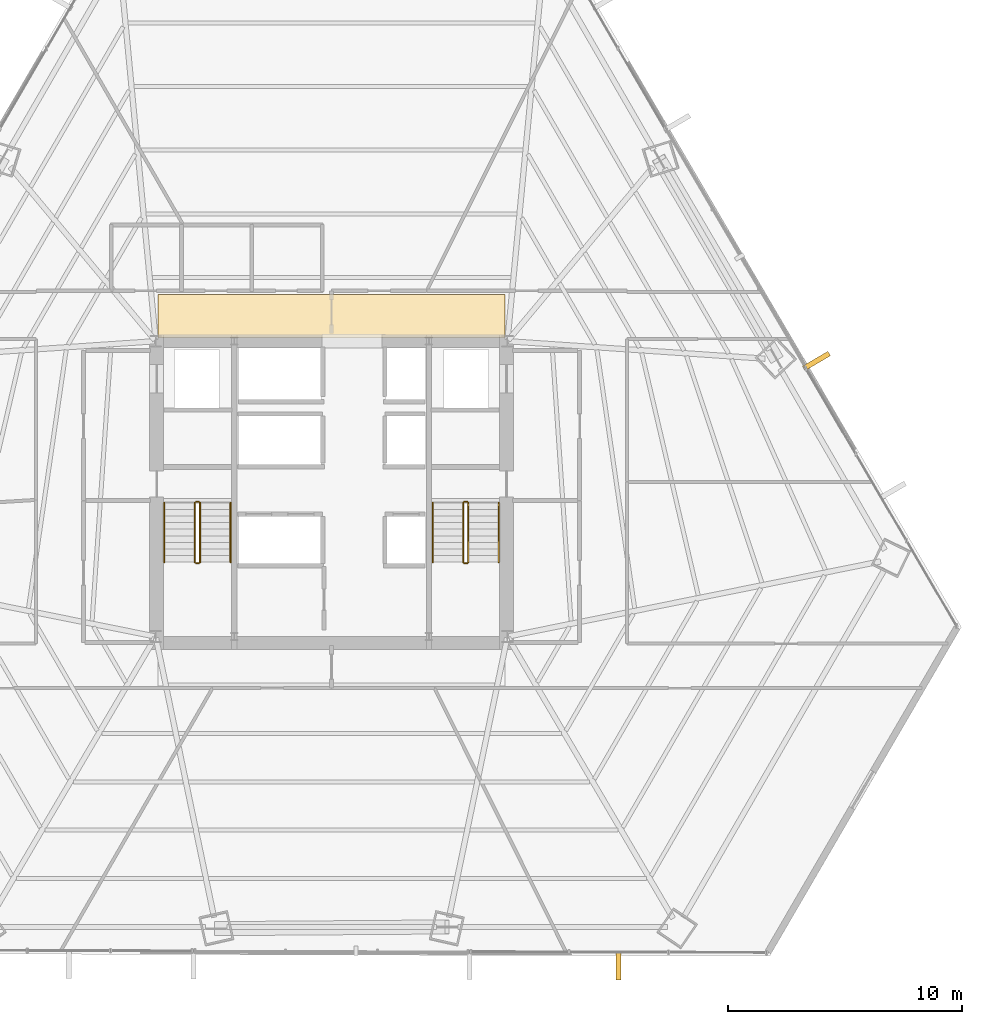
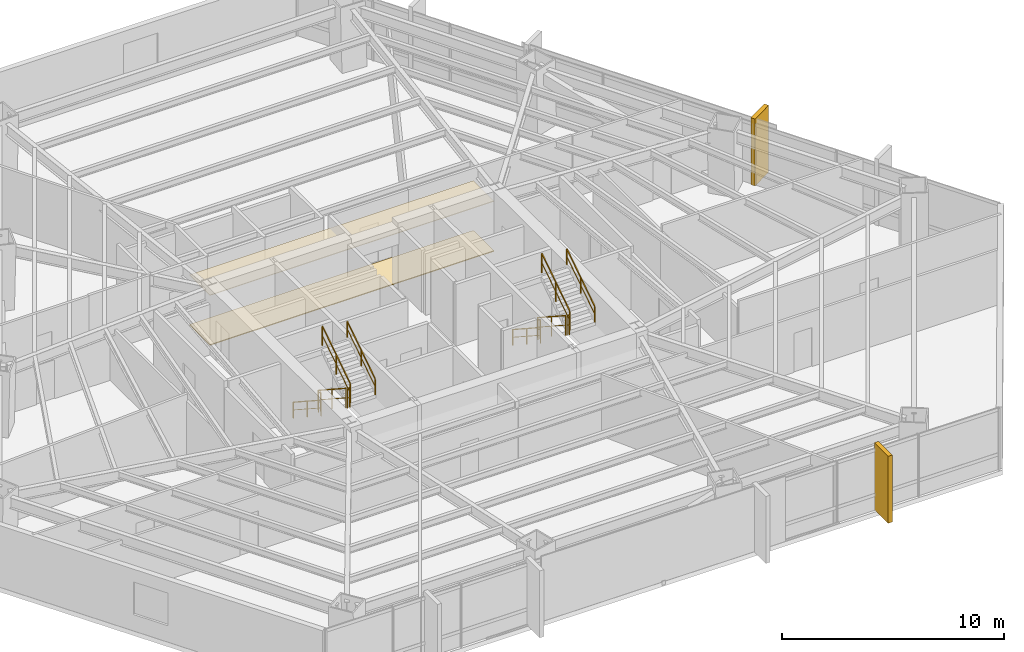
# One storey, part 32 of 33: 12 railings, 4 coverings.
"""IFC4 building model written with IfcOpenShell, lengths in metres."""

from ifc_helpers import new_model, si_unit, direction, frame, origin, origin_2d, place, context, subcontext, project, spatial, polyline, rectangle, outline, extrude, source, transform, mapped, material, layer, layer_set, type_object, type_shapes, element, save


model = new_model("IFC4")

# Units and contexts
model_context = context("Model", 3, precision=1e-05, world=origin(), true_north=direction((0.0, 1.0)))
body_context = subcontext(model_context, "Body", "Model", "MODEL_VIEW")
ifc_project = project(units=[si_unit("LENGTHUNIT", "METRE"), si_unit("AREAUNIT", "SQUARE_METRE"), si_unit("VOLUMEUNIT", "CUBIC_METRE"), si_unit("PLANEANGLEUNIT", "RADIAN"), si_unit("MASSUNIT", "GRAM", prefix="KILO")], contexts=[model_context])

# Site, building, storey
site_placement = place(None, origin())
site = spatial("IfcSite", under=ifc_project, at=site_placement, CompositionType="ELEMENT")
building_placement = place(site_placement, origin())
building = spatial("IfcBuilding", under=site, at=building_placement, Name="Caelisora Broadcast Tower", CompositionType="ELEMENT")
storey_placement = place(building_placement, frame((0.0, 0.0, 34.89990234375)))
storey = spatial("IfcBuildingStorey", under=building, at=storey_placement, Name="L08", CompositionType="ELEMENT", Elevation=34.89990234375)

# Coverings
ifc_material_1 = material(Name="Perforated Mineral-Fibre Acoustic Ceiling Tile", Category="gypsum")
ifc_layer_1 = layer(ifc_material_1, 0.034912109375, Name="Perforated Mineral-Fibre Acoustic Ceiling Tile")
ifc_layer_set_1 = layer_set([ifc_layer_1], Name="Perforated Mineral-Fibre Acoustic Ceiling Tile")
covering_type_1 = type_object("IfcCoveringType", Name="CE-1", PredefinedType="CEILING", material=ifc_layer_set_1)
covering_1_placement = place(storey_placement, frame((0.0, 0.0, 2.75)))
element("IfcCovering", 1, at=covering_1_placement, inside=storey, type_object=covering_type_1, Name="L08 acoustic corridor ceiling CE-1 (N)", PredefinedType="CEILING", context=body_context, shape_type="SweptSolid", body=[
    extrude(outline(polyline([(30.60009765625, 30.14990234375), (45.39990234375, 30.14990234375), (45.39990234375, 32.0), (30.60009765625, 32.0), (30.60009765625, 30.14990234375)])), origin(), (0.0, 0.0, 1.0), 0.03515625),
])
ifc_material_2 = material(Name="Anti-Static Broadcast Raised Access Floor Panel", Category="steel")
ifc_layer_2 = layer(ifc_material_2, 0.044921875, Name="Anti-Static Broadcast Raised Access Floor Panel")
ifc_layer_set_2 = layer_set([ifc_layer_2], Name="Anti-Static Broadcast Raised Access Floor Panel")
covering_type_2 = type_object("IfcCoveringType", Name="FL-1", PredefinedType="FLOORING", material=ifc_layer_set_2)
covering_2_placement = place(storey_placement, origin())
element("IfcCovering", 2, at=covering_2_placement, inside=storey, type_object=covering_type_2, Name="L08 broadcast raised access floor FL-1 (N)", PredefinedType="FLOORING", context=body_context, shape_type="SweptSolid", body=[
    extrude(outline(polyline([(30.60009765625, 30.14990234375), (45.39990234375, 30.14990234375), (45.39990234375, 32.0), (30.60009765625, 32.0), (30.60009765625, 30.14990234375)])), origin(), (0.0, 0.0, 1.0), 0.045166015625),
])

# Railings
ifc_material_3 = material(Name="Galvanised Steel Safety Guardrail", Category="steel")
ifc_layer_3 = layer(ifc_material_3, 0.048095703125, Name="Galvanised Steel Safety Guardrail")
ifc_layer_set_3 = layer_set([ifc_layer_3], Name="Galvanised Steel Safety Guardrail")
railing_type_1 = type_object("IfcRailingType", Name="GR-1", PredefinedType="GUARDRAIL", material=ifc_layer_set_3)
railing_1_placement = place(storey_placement, frame((32.169921875, 23.10009765625, 0.1826171875)))
element("IfcRailing", 3, at=railing_1_placement, inside=storey, type_object=railing_type_1, Name="L08 ST-1 stair guard 1", PredefinedType="GUARDRAIL", context=body_context, shape_type="SweptSolid", body=[
    extrude(rectangle(XDim=0.048095703125, YDim=0.048095703125, at=origin_2d()), frame((0.0, 0.0, 1.076171875), z_axis=(0.0, -0.837749427056, 0.546054848405), x_axis=(1.0, 0.0, 0.0)), (0.0, 0.0, 1.0), 3.008056640625),
    extrude(rectangle(XDim=0.03125, YDim=0.03125, at=origin_2d()), frame((0.0, 0.0, 0.550048828125), z_axis=(0.0, -0.837749427056, 0.546054848405), x_axis=(1.0, 0.0, 0.0)), (0.0, 0.0, 1.0), 3.008056640625),
    extrude(rectangle(XDim=0.0419921875, YDim=0.0419921875, at=origin_2d()), origin(), (0.0, 0.0, 1.0), 1.052001953125),
    extrude(rectangle(XDim=0.0419921875, YDim=0.0419921875, at=origin_2d()), frame((0.0, -1.260009765625, 0.8212890625)), (0.0, 0.0, 1.0), 1.052001953125),
    extrude(rectangle(XDim=0.0419921875, YDim=0.0419921875, at=origin_2d()), frame((0.0, -2.52001953125, 1.642578125)), (0.0, 0.0, 1.0), 1.052001953125),
])
railing_2_placement = place(storey_placement, frame((32.219970703125, 20.530029296875, 1.8251953125)))
element("IfcRailing", 4, at=railing_2_placement, inside=storey, type_object=railing_type_1, Name="L08 ST-1 stair guard 2", PredefinedType="GUARDRAIL", context=body_context, shape_type="SweptSolid", body=[
    extrude(rectangle(XDim=0.048095703125, YDim=0.048095703125, at=origin_2d()), frame((0.0, 0.0, 1.076171875), z_axis=(1.0, 0.0, 0.0), x_axis=(0.0, 1.0, 0.0)), (0.0, 0.0, 1.0), 0.1201171875),
    extrude(rectangle(XDim=0.03125, YDim=0.03125, at=origin_2d()), frame((0.0, 0.0, 0.550048828125), z_axis=(1.0, 0.0, 0.0), x_axis=(0.0, 1.0, 0.0)), (0.0, 0.0, 1.0), 0.1201171875),
    extrude(rectangle(XDim=0.0419921875, YDim=0.0419921875, at=origin_2d()), origin(), (0.0, 0.0, 1.0), 1.052001953125),
    extrude(rectangle(XDim=0.0419921875, YDim=0.0419921875, at=origin_2d()), frame((0.1201171875, 0.0, 0.0)), (0.0, 0.0, 1.0), 1.052001953125),
])
railing_3_placement = place(storey_placement, frame((32.389892578125, 20.580078125, 2.007568359375)))
element("IfcRailing", 5, at=railing_3_placement, inside=storey, type_object=railing_type_1, Name="L08 ST-1 stair guard 3", PredefinedType="GUARDRAIL", context=body_context, shape_type="SweptSolid", body=[
    extrude(rectangle(XDim=0.048095703125, YDim=0.048095703125, at=origin_2d()), frame((0.0, 0.0, 1.076171875), z_axis=(0.0, 0.837749427056, 0.546054848405), x_axis=(-1.0, 0.0, 0.0)), (0.0, 0.0, 1.0), 3.008056640625),
    extrude(rectangle(XDim=0.03125, YDim=0.03125, at=origin_2d()), frame((0.0, 0.0, 0.550048828125), z_axis=(0.0, 0.837749427056, 0.546054848405), x_axis=(-1.0, 0.0, 0.0)), (0.0, 0.0, 1.0), 3.008056640625),
    extrude(rectangle(XDim=0.0419921875, YDim=0.0419921875, at=origin_2d()), origin(), (0.0, 0.0, 1.0), 1.052001953125),
    extrude(rectangle(XDim=0.0419921875, YDim=0.0419921875, at=origin_2d()), frame((0.0, 1.260009765625, 0.8212890625)), (0.0, 0.0, 1.0), 1.052001953125),
    extrude(rectangle(XDim=0.0419921875, YDim=0.0419921875, at=origin_2d()), frame((0.0, 2.52001953125, 1.642578125)), (0.0, 0.0, 1.0), 1.052001953125),
])
railing_4_placement = place(storey_placement, frame((32.219970703125, 23.14990234375, 0.0)))
element("IfcRailing", 6, at=railing_4_placement, inside=storey, type_object=railing_type_1, Name="L08 ST-1 stair guard 4", PredefinedType="GUARDRAIL", context=body_context, shape_type="SweptSolid", body=[
    extrude(rectangle(XDim=0.048095703125, YDim=0.048095703125, at=origin_2d()), frame((0.0, 0.0, 1.076171875), z_axis=(1.0, 0.0, 0.0), x_axis=(0.0, 1.0, 0.0)), (0.0, 0.0, 1.0), 0.1201171875),
    extrude(rectangle(XDim=0.03125, YDim=0.03125, at=origin_2d()), frame((0.0, 0.0, 0.550048828125), z_axis=(1.0, 0.0, 0.0), x_axis=(0.0, 1.0, 0.0)), (0.0, 0.0, 1.0), 0.1201171875),
    extrude(rectangle(XDim=0.0419921875, YDim=0.0419921875, at=origin_2d()), origin(), (0.0, 0.0, 1.0), 1.052001953125),
    extrude(rectangle(XDim=0.0419921875, YDim=0.0419921875, at=origin_2d()), frame((0.1201171875, 0.0, 0.0)), (0.0, 0.0, 1.0), 1.052001953125),
])
railing_5_placement = place(storey_placement, frame((43.610107421875, 23.10009765625, 0.1826171875)))
element("IfcRailing", 7, at=railing_5_placement, inside=storey, type_object=railing_type_1, Name="L08 ST-2 stair guard 1", PredefinedType="GUARDRAIL", context=body_context, shape_type="SweptSolid", body=[
    extrude(rectangle(XDim=0.048095703125, YDim=0.048095703125, at=origin_2d()), frame((0.0, 0.0, 1.076171875), z_axis=(0.0, -0.837749427056, 0.546054848405), x_axis=(1.0, 0.0, 0.0)), (0.0, 0.0, 1.0), 3.008056640625),
    extrude(rectangle(XDim=0.03125, YDim=0.03125, at=origin_2d()), frame((0.0, 0.0, 0.550048828125), z_axis=(0.0, -0.837749427056, 0.546054848405), x_axis=(1.0, 0.0, 0.0)), (0.0, 0.0, 1.0), 3.008056640625),
    extrude(rectangle(XDim=0.0419921875, YDim=0.0419921875, at=origin_2d()), origin(), (0.0, 0.0, 1.0), 1.052001953125),
    extrude(rectangle(XDim=0.0419921875, YDim=0.0419921875, at=origin_2d()), frame((0.0, -1.260009765625, 0.8212890625)), (0.0, 0.0, 1.0), 1.052001953125),
    extrude(rectangle(XDim=0.0419921875, YDim=0.0419921875, at=origin_2d()), frame((0.0, -2.52001953125, 1.642578125)), (0.0, 0.0, 1.0), 1.052001953125),
])
railing_6_placement = place(storey_placement, frame((43.659912109375, 20.530029296875, 1.8251953125)))
element("IfcRailing", 8, at=railing_6_placement, inside=storey, type_object=railing_type_1, Name="L08 ST-2 stair guard 2", PredefinedType="GUARDRAIL", context=body_context, shape_type="SweptSolid", body=[
    extrude(rectangle(XDim=0.048095703125, YDim=0.048095703125, at=origin_2d()), frame((0.0, 0.0, 1.076171875), z_axis=(1.0, 0.0, 0.0), x_axis=(0.0, 1.0, 0.0)), (0.0, 0.0, 1.0), 0.1201171875),
    extrude(rectangle(XDim=0.03125, YDim=0.03125, at=origin_2d()), frame((0.0, 0.0, 0.550048828125), z_axis=(1.0, 0.0, 0.0), x_axis=(0.0, 1.0, 0.0)), (0.0, 0.0, 1.0), 0.1201171875),
    extrude(rectangle(XDim=0.0419921875, YDim=0.0419921875, at=origin_2d()), origin(), (0.0, 0.0, 1.0), 1.052001953125),
    extrude(rectangle(XDim=0.0419921875, YDim=0.0419921875, at=origin_2d()), frame((0.1201171875, 0.0, 0.0)), (0.0, 0.0, 1.0), 1.052001953125),
])
railing_7_placement = place(storey_placement, frame((43.830078125, 20.580078125, 2.007568359375)))
element("IfcRailing", 9, at=railing_7_placement, inside=storey, type_object=railing_type_1, Name="L08 ST-2 stair guard 3", PredefinedType="GUARDRAIL", context=body_context, shape_type="SweptSolid", body=[
    extrude(rectangle(XDim=0.048095703125, YDim=0.048095703125, at=origin_2d()), frame((0.0, 0.0, 1.076171875), z_axis=(0.0, 0.837749427056, 0.546054848405), x_axis=(-1.0, 0.0, 0.0)), (0.0, 0.0, 1.0), 3.008056640625),
    extrude(rectangle(XDim=0.03125, YDim=0.03125, at=origin_2d()), frame((0.0, 0.0, 0.550048828125), z_axis=(0.0, 0.837749427056, 0.546054848405), x_axis=(-1.0, 0.0, 0.0)), (0.0, 0.0, 1.0), 3.008056640625),
    extrude(rectangle(XDim=0.0419921875, YDim=0.0419921875, at=origin_2d()), origin(), (0.0, 0.0, 1.0), 1.052001953125),
    extrude(rectangle(XDim=0.0419921875, YDim=0.0419921875, at=origin_2d()), frame((0.0, 1.260009765625, 0.8212890625)), (0.0, 0.0, 1.0), 1.052001953125),
    extrude(rectangle(XDim=0.0419921875, YDim=0.0419921875, at=origin_2d()), frame((0.0, 2.52001953125, 1.642578125)), (0.0, 0.0, 1.0), 1.052001953125),
])
railing_8_placement = place(storey_placement, frame((43.659912109375, 23.14990234375, 0.0)))
element("IfcRailing", 10, at=railing_8_placement, inside=storey, type_object=railing_type_1, Name="L08 ST-2 stair guard 4", PredefinedType="GUARDRAIL", context=body_context, shape_type="SweptSolid", body=[
    extrude(rectangle(XDim=0.048095703125, YDim=0.048095703125, at=origin_2d()), frame((0.0, 0.0, 1.076171875), z_axis=(1.0, 0.0, 0.0), x_axis=(0.0, 1.0, 0.0)), (0.0, 0.0, 1.0), 0.1201171875),
    extrude(rectangle(XDim=0.03125, YDim=0.03125, at=origin_2d()), frame((0.0, 0.0, 0.550048828125), z_axis=(1.0, 0.0, 0.0), x_axis=(0.0, 1.0, 0.0)), (0.0, 0.0, 1.0), 0.1201171875),
    extrude(rectangle(XDim=0.0419921875, YDim=0.0419921875, at=origin_2d()), origin(), (0.0, 0.0, 1.0), 1.052001953125),
    extrude(rectangle(XDim=0.0419921875, YDim=0.0419921875, at=origin_2d()), frame((0.1201171875, 0.0, 0.0)), (0.0, 0.0, 1.0), 1.052001953125),
])
ifc_material_4 = material(Name="Stainless Steel Grade 316 Tubular Handrail", Category="steel")
ifc_layer_4 = layer(ifc_material_4, 0.048095703125, Name="Stainless Steel Grade 316 Tubular Handrail")
ifc_layer_set_4 = layer_set([ifc_layer_4], Name="Stainless Steel Grade 316 Tubular Handrail")
railing_type_2 = type_object("IfcRailingType", Name="HR-1", PredefinedType="HANDRAIL", material=ifc_layer_set_4)
railing_9_placement = place(storey_placement, frame((30.8701171875, 23.10009765625, 0.1826171875)))
element("IfcRailing", 11, at=railing_9_placement, inside=storey, type_object=railing_type_2, Name="L08 ST-1 stair handrail 1", PredefinedType="HANDRAIL", context=body_context, shape_type="SweptSolid", body=[
    extrude(rectangle(XDim=0.048095703125, YDim=0.048095703125, at=origin_2d()), frame((0.0, 0.0, 0.8759765625), z_axis=(0.0, -0.837749427056, 0.546054848405), x_axis=(1.0, 0.0, 0.0)), (0.0, 0.0, 1.0), 3.008056640625),
    extrude(rectangle(XDim=0.03125, YDim=0.03125, at=origin_2d()), frame((0.0, 0.0, 0.449951171875), z_axis=(0.0, -0.837749427056, 0.546054848405), x_axis=(1.0, 0.0, 0.0)), (0.0, 0.0, 1.0), 3.008056640625),
    extrude(rectangle(XDim=0.0419921875, YDim=0.0419921875, at=origin_2d()), origin(), (0.0, 0.0, 1.0), 0.851806640625),
    extrude(rectangle(XDim=0.0419921875, YDim=0.0419921875, at=origin_2d()), frame((0.0, -1.260009765625, 0.8212890625)), (0.0, 0.0, 1.0), 0.851806640625),
    extrude(rectangle(XDim=0.0419921875, YDim=0.0419921875, at=origin_2d()), frame((0.0, -2.52001953125, 1.642578125)), (0.0, 0.0, 1.0), 0.851806640625),
])
railing_10_placement = place(storey_placement, frame((33.68994140625, 20.580078125, 2.007568359375)))
element("IfcRailing", 12, at=railing_10_placement, inside=storey, type_object=railing_type_2, Name="L08 ST-1 stair handrail 2", PredefinedType="HANDRAIL", context=body_context, shape_type="SweptSolid", body=[
    extrude(rectangle(XDim=0.048095703125, YDim=0.048095703125, at=origin_2d()), frame((0.0, 0.0, 0.8759765625), z_axis=(0.0, 0.837749427056, 0.546054848405), x_axis=(-1.0, 0.0, 0.0)), (0.0, 0.0, 1.0), 3.008056640625),
    extrude(rectangle(XDim=0.03125, YDim=0.03125, at=origin_2d()), frame((0.0, 0.0, 0.449951171875), z_axis=(0.0, 0.837749427056, 0.546054848405), x_axis=(-1.0, 0.0, 0.0)), (0.0, 0.0, 1.0), 3.008056640625),
    extrude(rectangle(XDim=0.0419921875, YDim=0.0419921875, at=origin_2d()), origin(), (0.0, 0.0, 1.0), 0.851806640625),
    extrude(rectangle(XDim=0.0419921875, YDim=0.0419921875, at=origin_2d()), frame((0.0, 1.260009765625, 0.8212890625)), (0.0, 0.0, 1.0), 0.851806640625),
    extrude(rectangle(XDim=0.0419921875, YDim=0.0419921875, at=origin_2d()), frame((0.0, 2.52001953125, 1.642578125)), (0.0, 0.0, 1.0), 0.851806640625),
])
railing_11_placement = place(storey_placement, frame((42.31005859375, 23.10009765625, 0.1826171875)))
element("IfcRailing", 13, at=railing_11_placement, inside=storey, type_object=railing_type_2, Name="L08 ST-2 stair handrail 1", PredefinedType="HANDRAIL", context=body_context, shape_type="SweptSolid", body=[
    extrude(rectangle(XDim=0.048095703125, YDim=0.048095703125, at=origin_2d()), frame((0.0, 0.0, 0.8759765625), z_axis=(0.0, -0.837749427056, 0.546054848405), x_axis=(1.0, 0.0, 0.0)), (0.0, 0.0, 1.0), 3.008056640625),
    extrude(rectangle(XDim=0.03125, YDim=0.03125, at=origin_2d()), frame((0.0, 0.0, 0.449951171875), z_axis=(0.0, -0.837749427056, 0.546054848405), x_axis=(1.0, 0.0, 0.0)), (0.0, 0.0, 1.0), 3.008056640625),
    extrude(rectangle(XDim=0.0419921875, YDim=0.0419921875, at=origin_2d()), origin(), (0.0, 0.0, 1.0), 0.851806640625),
    extrude(rectangle(XDim=0.0419921875, YDim=0.0419921875, at=origin_2d()), frame((0.0, -1.260009765625, 0.8212890625)), (0.0, 0.0, 1.0), 0.851806640625),
    extrude(rectangle(XDim=0.0419921875, YDim=0.0419921875, at=origin_2d()), frame((0.0, -2.52001953125, 1.642578125)), (0.0, 0.0, 1.0), 0.851806640625),
])
railing_12_placement = place(storey_placement, frame((45.1298828125, 20.580078125, 2.007568359375)))
element("IfcRailing", 14, at=railing_12_placement, inside=storey, type_object=railing_type_2, Name="L08 ST-2 stair handrail 2", PredefinedType="HANDRAIL", context=body_context, shape_type="SweptSolid", body=[
    extrude(rectangle(XDim=0.048095703125, YDim=0.048095703125, at=origin_2d()), frame((0.0, 0.0, 0.8759765625), z_axis=(0.0, 0.837749427056, 0.546054848405), x_axis=(-1.0, 0.0, 0.0)), (0.0, 0.0, 1.0), 3.008056640625),
    extrude(rectangle(XDim=0.03125, YDim=0.03125, at=origin_2d()), frame((0.0, 0.0, 0.449951171875), z_axis=(0.0, 0.837749427056, 0.546054848405), x_axis=(-1.0, 0.0, 0.0)), (0.0, 0.0, 1.0), 3.008056640625),
    extrude(rectangle(XDim=0.0419921875, YDim=0.0419921875, at=origin_2d()), origin(), (0.0, 0.0, 1.0), 0.851806640625),
    extrude(rectangle(XDim=0.0419921875, YDim=0.0419921875, at=origin_2d()), frame((0.0, 1.260009765625, 0.8212890625)), (0.0, 0.0, 1.0), 0.851806640625),
    extrude(rectangle(XDim=0.0419921875, YDim=0.0419921875, at=origin_2d()), frame((0.0, 2.52001953125, 1.642578125)), (0.0, 0.0, 1.0), 0.851806640625),
])

# Coverings
ifc_material_5 = material(Name="Kiln-Fired Terracotta Spandrel Rainscreen Cladding", Category="ceramic")
ifc_layer_5 = layer(ifc_material_5, 0.044921875, Name="Kiln-Fired Terracotta Spandrel Rainscreen Cladding")
ifc_layer_set_5 = layer_set([ifc_layer_5], Name="Kiln-Fired Terracotta Spandrel Rainscreen Cladding")
covering_type_3 = type_object("IfcCoveringType", Name="CL-1", PredefinedType="CLADDING", material=ifc_layer_set_5)
shared_shape = source(origin(), body_context, "Body", "SweptSolid", [
    extrude(rectangle(XDim=0.219970703125, YDim=1.25, at=origin_2d()), origin(), (0.0, 0.0, 1.0), 3.68994140625),
])
type_shapes(covering_type_3, [shared_shape])
for number, where, z_axis, x_axis, name in (
    (15, (58.68408203125, 29.156982421875, -0.019775390625), (0.0, 0.0, 1.0), (0.505582083675, -0.862778509623, 0.0), "L08 vertical solar fin cladding #1-3"),
    (16, (50.2412109375, 3.379638671875, -0.019775390625), (0.0, 0.0, 1.0), (-0.9999961009, 0.002792523174, 0.0), "L08 vertical solar fin cladding #2-1"),
):
    element("IfcCovering", number, at=place(storey_placement, frame(where, z_axis=z_axis, x_axis=x_axis)), inside=storey, type_object=covering_type_3, Name=name, PredefinedType="CLADDING", context=body_context, shape_type="MappedRepresentation", body=[
        mapped(shared_shape, transform((0.0, 0.0, 0.0), scale=1.0)),
    ])

save(model, "model.ifc")
